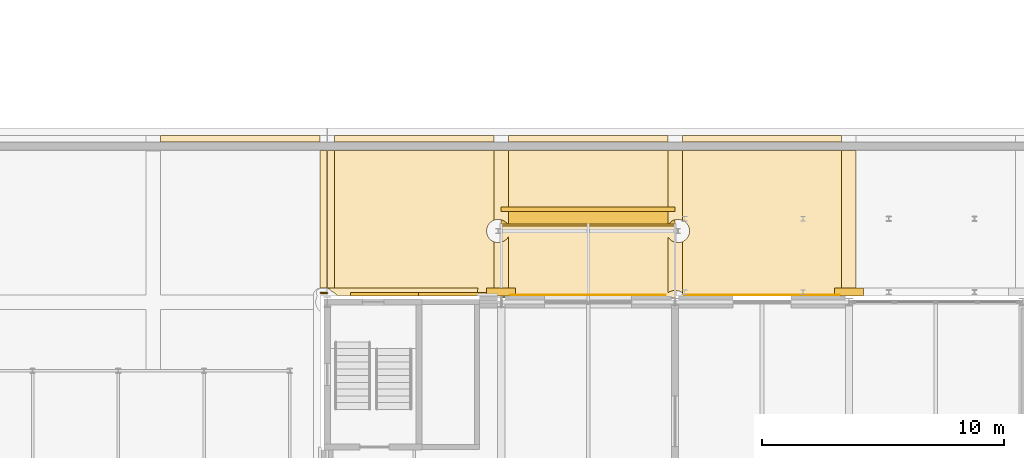
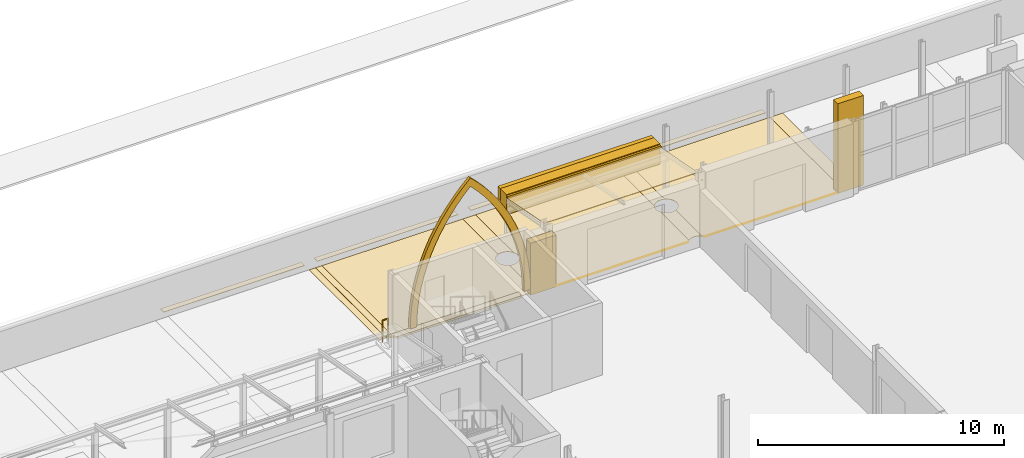
# One storey, part 134 of 143: 24 coverings, 1 railing.
"""IFC4 building model written with IfcOpenShell, lengths in metres."""

from ifc_helpers import new_model, si_unit, direction, frame, origin, origin_2d, place, context, subcontext, project, spatial, polyline, rectangle, circle, outline, extrude, material, layer, layer_set, type_object, element, save


model = new_model("IFC4")

# Units and contexts
model_context = context("Model", 3, precision=1e-05, world=origin(), true_north=direction((0.0, 1.0)))
body_context = subcontext(model_context, "Body", "Model", "MODEL_VIEW")
ifc_project = project(units=[si_unit("LENGTHUNIT", "METRE"), si_unit("AREAUNIT", "SQUARE_METRE"), si_unit("VOLUMEUNIT", "CUBIC_METRE"), si_unit("PLANEANGLEUNIT", "RADIAN"), si_unit("MASSUNIT", "GRAM", prefix="KILO")], contexts=[model_context])

# Site, building, storey
site_placement = place(None, origin())
site = spatial("IfcSite", under=ifc_project, at=site_placement, CompositionType="ELEMENT")
building_placement = place(site_placement, origin())
building = spatial("IfcBuilding", under=site, at=building_placement, Name="Kupolbacken Congress Centre", CompositionType="ELEMENT")
storey_placement = place(building_placement, frame((0.0, 0.0, 7.199951171875)))
storey = spatial("IfcBuildingStorey", under=building, at=storey_placement, Name="L02", CompositionType="ELEMENT", Elevation=7.199951171875)

# Coverings
ifc_material_1 = material(Name="Limestone cladding", Category="masonry")
ifc_layer_1 = layer(ifc_material_1, 0.5)
ifc_layer_set_1 = layer_set([ifc_layer_1], Name="Limestone cladding")
covering_type_1 = type_object("IfcCoveringType", Name="CV10 limestone cornice 500", PredefinedType="CLADDING", material=ifc_layer_set_1)
covering_1_placement = place(storey_placement, frame((147.60009765625, 154.68994140625, 1.9560546875), z_axis=(0.0, 0.0, 1.0), x_axis=(-1.0, 0.0, 0.0)))
element("IfcCovering", 1, at=covering_1_placement, inside=storey, type_object=covering_type_1, Name="F/HR/canopy/BN1/board", PredefinedType="CLADDING", context=body_context, shape_type="SweptSolid", body=[
    extrude(rectangle(XDim=7.199951171875, YDim=0.5, at=origin_2d()), origin(), (0.0, 0.0, 1.0), 1.0),
])
ifc_material_2 = material(Name="Limestone cladding", Category="masonry")
ifc_layer_2 = layer(ifc_material_2, 0.35009765625)
ifc_layer_set_2 = layer_set([ifc_layer_2], Name="Limestone cladding")
covering_type_2 = type_object("IfcCoveringType", Name="CV3 limestone pilaster strip 350", PredefinedType="CLADDING", material=ifc_layer_set_2)
covering_2_placement = place(storey_placement, frame((144.0, 151.614990234375, 0.0), z_axis=(0.0, 0.0, 1.0), x_axis=(1.0, 0.0, 0.0)))
element("IfcCovering", 2, at=covering_2_placement, inside=storey, type_object=covering_type_2, Name="F/B/N/pil/01/0", PredefinedType="CLADDING", context=body_context, shape_type="SweptSolid", body=[
    extrude(rectangle(XDim=1.199951171875, YDim=0.35009765625, at=origin_2d()), origin(), (0.0, 0.0, 1.0), 2.570068359375),
])
covering_3_placement = place(storey_placement, frame((158.39990234375, 151.614990234375, 0.0), z_axis=(0.0, 0.0, 1.0), x_axis=(1.0, 0.0, 0.0)))
element("IfcCovering", 3, at=covering_3_placement, inside=storey, type_object=covering_type_2, Name="F/B/N/pil/03/0", PredefinedType="CLADDING", context=body_context, shape_type="SweptSolid", body=[
    extrude(rectangle(XDim=1.199951171875, YDim=0.35009765625, at=origin_2d()), origin(), (0.0, 0.0, 1.0), 4.444091796875),
])
ifc_material_3 = material(Name="Limestone cladding", Category="masonry")
ifc_layer_3 = layer(ifc_material_3, 0.14990234375)
ifc_layer_set_3 = layer_set([ifc_layer_3], Name="Limestone cladding")
covering_type_3 = type_object("IfcCoveringType", Name="CV4 limestone blind arch frame 150", PredefinedType="CLADDING", material=ifc_layer_set_3)
covering_4_placement = place(storey_placement, frame((137.760009765625, 151.43994140625, 0.300048828125), z_axis=(0.0, 1.0, 0.0), x_axis=(-1.0, 0.0, 0.0)))
element("IfcCovering", 4, at=covering_4_placement, inside=storey, type_object=covering_type_3, Name="F/B/N/arch/00/7.5", PredefinedType="CLADDING", context=body_context, shape_type="SweptSolid", body=[
    extrude(outline(polyline([(0.0, 0.0), (-0.01513671875, 0.520263671875), (-0.060791015625, 1.038818359375), (-0.13671875, 1.553466796875), (-0.242431640625, 2.06298828125), (-0.377685546875, 2.565673828125), (-0.542236328125, 3.059326171875), (-0.7353515625, 3.542724609375), (-0.956298828125, 4.013916015625), (-1.20458984375, 4.47119140625), (-1.47900390625, 4.91357421875), (-1.77880859375, 5.3388671875), (-2.10302734375, 5.74609375), (-2.450439453125, 6.133544921875), (-2.820068359375, 6.5), (-3.189453125, 6.133544921875), (-3.536865234375, 5.74609375), (-3.861083984375, 5.3388671875), (-4.160888671875, 4.91357421875), (-4.435546875, 4.47119140625), (-4.68359375, 4.013916015625), (-4.904541015625, 3.542724609375), (-5.09765625, 3.059326171875), (-5.26220703125, 2.565673828125), (-5.397705078125, 2.06298828125), (-5.50341796875, 1.553466796875), (-5.5791015625, 1.038818359375), (-5.624755859375, 0.520263671875), (-5.639892578125, 0.0), (-5.340087890625, 0.0), (-5.326416015625, 0.482421875), (-5.285888671875, 0.963134765625), (-5.218505859375, 1.44091796875), (-5.124267578125, 1.914306640625), (-5.003662109375, 2.381591796875), (-4.857177734375, 2.84130859375), (-4.68505859375, 3.2919921875), (-4.48779296875, 3.732421875), (-4.266357421875, 4.1611328125), (-4.021240234375, 4.576904296875), (-3.753173828125, 4.977783203125), (-3.462890625, 5.363525390625), (-3.151611328125, 5.732177734375), (-2.820068359375, 6.082763671875), (-2.488525390625, 5.732177734375), (-2.177001953125, 5.363525390625), (-1.886962890625, 4.977783203125), (-1.618896484375, 4.576904296875), (-1.37353515625, 4.1611328125), (-1.152099609375, 3.732421875), (-0.954833984375, 3.2919921875), (-0.78271484375, 2.84130859375), (-0.63623046875, 2.381591796875), (-0.515625, 1.914306640625), (-0.421630859375, 1.44091796875), (-0.35400390625, 0.963134765625), (-0.3134765625, 0.482421875), (-0.300048828125, 0.0), (0.0, 0.0)])), origin(), (0.0, 0.0, 1.0), 0.14990234375),
])
ifc_material_4 = material(Name="Limestone cladding", Category="masonry")
ifc_layer_4 = layer(ifc_material_4, 0.199951171875)
ifc_layer_set_4 = layer_set([ifc_layer_4], Name="Limestone cladding")
covering_type_4 = type_object("IfcCoveringType", Name="CV9 limestone drum arch frame 200", PredefinedType="CLADDING", material=ifc_layer_set_4)
covering_5_placement = place(storey_placement, frame((147.60009765625, 155.0400390625, 2.35595703125), z_axis=(0.0, 0.0, 1.0), x_axis=(-1.0, 0.0, 0.0)))
element("IfcCovering", 5, at=covering_5_placement, inside=storey, type_object=covering_type_4, Name="F/HR/canopy/BN1/cornice", PredefinedType="CLADDING", context=body_context, shape_type="SweptSolid", body=[
    extrude(rectangle(XDim=7.199951171875, YDim=0.199951171875, at=origin_2d()), origin(), (0.0, 0.0, 1.0), 0.60009765625),
])
ifc_material_5 = material(Name="Glass", Category="glass")
ifc_layer_5 = layer(ifc_material_5, 0.0439453125)
ifc_layer_set_5 = layer_set([ifc_layer_5], Name="Glass")
covering_type_5 = type_object("IfcCoveringType", Name="GC1 glazed canopy roof 44", PredefinedType="ROOFING", material=ifc_layer_set_5)
covering_6_placement = place(storey_placement, frame((151.199951171875, 151.364990234375, 3.406982421875), z_axis=(0.0, 0.191768503434, 0.98144018722), x_axis=(0.0, 0.98144018722, -0.191768503434)))
element("IfcCovering", 6, at=covering_6_placement, inside=storey, type_object=covering_type_5, Name="Pitched canopy glass", PredefinedType="ROOFING", context=body_context, shape_type="SweptSolid", body=[
    extrude(outline(polyline([(0.0, 0.0), (3.133100938717923, 0.0), (3.133100938717923, 7.199951171875), (0.0, 7.199951171875), (0.0, 0.0)])), origin(), (0.0, 0.0, -1.0), 0.035888671875),
])
ifc_material_6 = material(Name="Limestone cladding", Category="masonry")
ifc_layer_6 = layer(ifc_material_6, 0.02001953125)
ifc_layer_set_6 = layer_set([ifc_layer_6], Name="Limestone cladding")
covering_type_6 = type_object("IfcCoveringType", Name="GF1 limestone paving 20", PredefinedType="FLOORING", material=ifc_layer_set_6)
covering_7_placement = place(storey_placement, origin())
element("IfcCovering", 7, at=covering_7_placement, inside=storey, type_object=covering_type_6, Name="Arrival deck limestone paving", PredefinedType="FLOORING", context=body_context, shape_type="SweptSolid", body=[
    extrude(outline(polyline([(136.5, 158.09912109375), (136.5, 157.830078125), (129.89990234375, 157.830078125), (129.89990234375, 158.09912109375), (136.5, 158.09912109375)])), origin(), (0.0, 0.0, 1.0), 0.02001953125),
])
covering_8_placement = place(storey_placement, origin())
element("IfcCovering", 8, at=covering_8_placement, inside=storey, type_object=covering_type_6, Name="North deck limestone paving", PredefinedType="FLOORING", context=body_context, shape_type="SweptSolid", body=[
    extrude(outline(polyline([(158.095458984375, 151.571044921875), (158.060546875, 151.539306640625), (158.02880859375, 151.50439453125), (158.008544921875, 151.47705078125), (158.025634765625, 151.5), (151.574462890625, 151.5), (151.591552734375, 151.47705078125), (151.571044921875, 151.50439453125), (151.539306640625, 151.539306640625), (151.50439453125, 151.571044921875), (151.466796875, 151.59912109375), (151.5, 151.574462890625), (151.5, 153.6953125), (151.54638671875, 153.716552734375), (151.586669921875, 153.740966796875), (151.62451171875, 153.768798828125), (151.659423828125, 153.800537109375), (151.691162109375, 153.83544921875), (151.718994140625, 153.873291015625), (151.743408203125, 153.913818359375), (151.763427734375, 153.956298828125), (151.779296875, 154.000732421875), (151.790771484375, 154.04638671875), (151.797607421875, 154.093017578125), (151.800048828125, 154.139892578125), (151.797607421875, 154.18701171875), (151.790771484375, 154.233642578125), (151.779296875, 154.279296875), (151.763427734375, 154.32373046875), (151.743408203125, 154.3662109375), (151.718994140625, 154.40673828125), (151.691162109375, 154.444580078125), (151.659423828125, 154.4794921875), (151.62451171875, 154.510986328125), (151.586669921875, 154.5390625), (151.54638671875, 154.5634765625), (151.5, 154.584716796875), (151.5, 157.469970703125), (158.10009765625, 157.469970703125), (158.10009765625, 151.574462890625), (158.13330078125, 151.59912109375), (158.095458984375, 151.571044921875)])), origin(), (0.0, 0.0, 1.0), 0.02001953125),
])
covering_9_placement = place(storey_placement, origin())
element("IfcCovering", 9, at=covering_9_placement, inside=storey, type_object=covering_type_6, Name="North deck limestone paving", PredefinedType="FLOORING", context=body_context, shape_type="SweptSolid", body=[
    extrude(outline(polyline([(150.89990234375, 151.574462890625), (150.860595703125, 151.539306640625), (150.828857421875, 151.50439453125), (150.80859375, 151.47705078125), (150.82568359375, 151.5), (144.37451171875, 151.5), (144.3916015625, 151.47705078125), (144.37109375, 151.50439453125), (144.33935546875, 151.539306640625), (144.304443359375, 151.571044921875), (144.2666015625, 151.59912109375), (144.300048828125, 151.574462890625), (144.300048828125, 153.908203125), (144.323486328125, 153.956298828125), (144.33935546875, 154.000732421875), (144.350830078125, 154.04638671875), (144.357666015625, 154.093017578125), (144.360107421875, 154.139892578125), (144.357666015625, 154.18701171875), (144.350830078125, 154.233642578125), (144.33935546875, 154.279296875), (144.323486328125, 154.32373046875), (144.300048828125, 154.371826171875), (144.300048828125, 157.469970703125), (150.89990234375, 157.469970703125), (150.89990234375, 154.371826171875), (150.9208984375, 154.40673828125), (150.896484375, 154.3662109375), (150.87646484375, 154.32373046875), (150.860595703125, 154.279296875), (150.84912109375, 154.233642578125), (150.84228515625, 154.18701171875), (150.840087890625, 154.139892578125), (150.84228515625, 154.093017578125), (150.84912109375, 154.04638671875), (150.860595703125, 154.000732421875), (150.87646484375, 153.956298828125), (150.896484375, 153.913818359375), (150.9208984375, 153.873291015625), (150.89990234375, 153.908203125), (150.89990234375, 151.574462890625)])), origin(), (0.0, 0.0, 1.0), 0.02001953125),
])
covering_10_placement = place(storey_placement, origin())
element("IfcCovering", 10, at=covering_10_placement, inside=storey, type_object=covering_type_6, Name="North deck limestone paving", PredefinedType="FLOORING", context=body_context, shape_type="SweptSolid", body=[
    extrude(outline(polyline([(143.695556640625, 151.571044921875), (143.685546875, 151.56201171875), (143.017822265625, 151.56201171875), (143.022216796875, 151.65087890625), (143.04052734375, 151.77490234375), (137.10009765625, 151.77490234375), (137.10009765625, 157.469970703125), (143.699951171875, 157.469970703125), (143.699951171875, 154.584716796875), (143.74072265625, 154.599365234375), (143.6962890625, 154.58349609375), (143.65380859375, 154.5634765625), (143.61328125, 154.5390625), (143.575439453125, 154.510986328125), (143.54052734375, 154.4794921875), (143.5087890625, 154.444580078125), (143.48095703125, 154.40673828125), (143.45654296875, 154.3662109375), (143.4365234375, 154.32373046875), (143.420654296875, 154.279296875), (143.4091796875, 154.233642578125), (143.40234375, 154.18701171875), (143.39990234375, 154.139892578125), (143.40234375, 154.093017578125), (143.4091796875, 154.04638671875), (143.420654296875, 154.000732421875), (143.4365234375, 153.956298828125), (143.45654296875, 153.913818359375), (143.48095703125, 153.873291015625), (143.5087890625, 153.83544921875), (143.54052734375, 153.800537109375), (143.575439453125, 153.768798828125), (143.61328125, 153.740966796875), (143.65380859375, 153.716552734375), (143.6962890625, 153.696533203125), (143.74072265625, 153.6806640625), (143.699951171875, 153.6953125), (143.699951171875, 151.574462890625), (143.7333984375, 151.59912109375), (143.695556640625, 151.571044921875)])), origin(), (0.0, 0.0, 1.0), 0.02001953125),
])
covering_11_placement = place(storey_placement, origin())
element("IfcCovering", 11, at=covering_11_placement, inside=storey, type_object=covering_type_6, Name="North deck limestone paving", PredefinedType="FLOORING", context=body_context, shape_type="SweptSolid", body=[
    extrude(outline(polyline([(151.5, 157.830078125), (151.5, 158.09912109375), (158.10009765625, 158.09912109375), (158.10009765625, 157.830078125), (151.5, 157.830078125)])), origin(), (0.0, 0.0, 1.0), 0.02001953125),
])
covering_12_placement = place(storey_placement, origin())
element("IfcCovering", 12, at=covering_12_placement, inside=storey, type_object=covering_type_6, Name="North deck limestone paving", PredefinedType="FLOORING", context=body_context, shape_type="SweptSolid", body=[
    extrude(outline(polyline([(144.300048828125, 157.830078125), (144.300048828125, 158.09912109375), (150.89990234375, 158.09912109375), (150.89990234375, 157.830078125), (144.300048828125, 157.830078125)])), origin(), (0.0, 0.0, 1.0), 0.02001953125),
])
covering_13_placement = place(storey_placement, origin())
element("IfcCovering", 13, at=covering_13_placement, inside=storey, type_object=covering_type_6, Name="North deck limestone paving", PredefinedType="FLOORING", context=body_context, shape_type="SweptSolid", body=[
    extrude(outline(polyline([(137.10009765625, 157.830078125), (137.10009765625, 158.09912109375), (143.699951171875, 158.09912109375), (143.699951171875, 157.830078125), (137.10009765625, 157.830078125)])), origin(), (0.0, 0.0, 1.0), 0.02001953125),
])
ifc_material_7 = material(Name="Brick", Category="masonry")
ifc_layer_7 = layer(ifc_material_7, 0.02001953125)
ifc_layer_set_7 = layer_set([ifc_layer_7], Name="Brick")
covering_type_7 = type_object("IfcCoveringType", Name="GF2 brick paving 20", PredefinedType="FLOORING", material=ifc_layer_set_7)
covering_14_placement = place(storey_placement, origin())
element("IfcCovering", 14, at=covering_14_placement, inside=storey, type_object=covering_type_7, Name="Arrival paving band", PredefinedType="FLOORING", context=body_context, shape_type="SweptSolid", body=[
    extrude(outline(polyline([(136.5, 157.469970703125), (136.798095703125, 157.469970703125), (136.798095703125, 151.77490234375), (136.52490234375, 151.77490234375), (136.5, 151.773681640625), (136.5, 157.469970703125)])), origin(), (0.0, 0.0, 1.0), 0.02001953125),
])
covering_15_placement = place(storey_placement, origin())
element("IfcCovering", 15, at=covering_15_placement, inside=storey, type_object=covering_type_7, Name="North paving band", PredefinedType="FLOORING", context=body_context, shape_type="SweptSolid", body=[
    extrude(outline(polyline([(143.699951171875, 153.6953125), (143.74072265625, 153.6806640625), (143.786376953125, 153.669189453125), (143.8330078125, 153.662353515625), (143.8798828125, 153.659912109375), (143.927001953125, 153.662353515625), (143.9736328125, 153.669189453125), (144.019287109375, 153.6806640625), (144.063720703125, 153.696533203125), (144.106201171875, 153.716552734375), (144.146728515625, 153.740966796875), (144.1845703125, 153.768798828125), (144.219482421875, 153.800537109375), (144.251220703125, 153.83544921875), (144.279052734375, 153.873291015625), (144.300048828125, 153.908203125), (144.300048828125, 151.574462890625), (144.2666015625, 151.59912109375), (144.226318359375, 151.623291015625), (144.18359375, 151.6435546875), (144.139404296875, 151.659423828125), (144.09375, 151.6708984375), (144.047119140625, 151.677734375), (144.0, 151.679931640625), (143.952880859375, 151.677734375), (143.90625, 151.6708984375), (143.860595703125, 151.659423828125), (143.81640625, 151.6435546875), (143.773681640625, 151.623291015625), (143.7333984375, 151.59912109375), (143.699951171875, 151.574462890625), (143.699951171875, 153.6953125)])), origin(), (0.0, 0.0, 1.0), 0.02001953125),
])
covering_16_placement = place(storey_placement, origin())
element("IfcCovering", 16, at=covering_16_placement, inside=storey, type_object=covering_type_7, Name="North paving band", PredefinedType="FLOORING", context=body_context, shape_type="SweptSolid", body=[
    extrude(outline(polyline([(143.699951171875, 157.469970703125), (144.300048828125, 157.469970703125), (144.300048828125, 154.371826171875), (144.279052734375, 154.40673828125), (144.251220703125, 154.444580078125), (144.219482421875, 154.4794921875), (144.1845703125, 154.510986328125), (144.146728515625, 154.5390625), (144.106201171875, 154.5634765625), (144.063720703125, 154.58349609375), (144.019287109375, 154.599365234375), (143.9736328125, 154.61083984375), (143.927001953125, 154.61767578125), (143.8798828125, 154.6201171875), (143.8330078125, 154.61767578125), (143.786376953125, 154.61083984375), (143.74072265625, 154.599365234375), (143.699951171875, 154.584716796875), (143.699951171875, 157.469970703125)])), origin(), (0.0, 0.0, 1.0), 0.02001953125),
])
covering_17_placement = place(storey_placement, origin())
element("IfcCovering", 17, at=covering_17_placement, inside=storey, type_object=covering_type_7, Name="North paving band", PredefinedType="FLOORING", context=body_context, shape_type="SweptSolid", body=[
    extrude(outline(polyline([(137.10009765625, 151.77490234375), (136.802001953125, 151.77490234375), (136.802001953125, 157.469970703125), (137.10009765625, 157.469970703125), (137.10009765625, 151.77490234375)])), origin(), (0.0, 0.0, 1.0), 0.02001953125),
])
covering_18_placement = place(storey_placement, origin())
element("IfcCovering", 18, at=covering_18_placement, inside=storey, type_object=covering_type_7, Name="North paving band", PredefinedType="FLOORING", context=body_context, shape_type="SweptSolid", body=[
    extrude(outline(polyline([(150.82568359375, 151.5), (150.80859375, 151.47705078125), (144.3916015625, 151.47705078125), (144.37451171875, 151.5), (150.82568359375, 151.5)])), origin(), (0.0, 0.0, 1.0), 0.02001953125),
])
covering_19_placement = place(storey_placement, origin())
element("IfcCovering", 19, at=covering_19_placement, inside=storey, type_object=covering_type_7, Name="North paving band", PredefinedType="FLOORING", context=body_context, shape_type="SweptSolid", body=[
    extrude(outline(polyline([(150.89990234375, 153.908203125), (150.9208984375, 153.873291015625), (150.948974609375, 153.83544921875), (150.980712890625, 153.800537109375), (151.015380859375, 153.768798828125), (151.05322265625, 153.740966796875), (151.09375, 153.716552734375), (151.13623046875, 153.696533203125), (151.1806640625, 153.6806640625), (151.226318359375, 153.669189453125), (151.27294921875, 153.662353515625), (151.320068359375, 153.659912109375), (151.3671875, 153.662353515625), (151.413818359375, 153.669189453125), (151.459228515625, 153.6806640625), (151.5, 153.6953125), (151.5, 151.574462890625), (151.466796875, 151.59912109375), (151.42626953125, 151.623291015625), (151.3837890625, 151.6435546875), (151.33935546875, 151.659423828125), (151.293701171875, 151.6708984375), (151.2470703125, 151.677734375), (151.199951171875, 151.679931640625), (151.15283203125, 151.677734375), (151.106201171875, 151.6708984375), (151.060791015625, 151.659423828125), (151.016357421875, 151.6435546875), (150.9736328125, 151.623291015625), (150.933349609375, 151.59912109375), (150.89990234375, 151.574462890625), (150.89990234375, 153.908203125)])), origin(), (0.0, 0.0, 1.0), 0.02001953125),
])
covering_20_placement = place(storey_placement, origin())
element("IfcCovering", 20, at=covering_20_placement, inside=storey, type_object=covering_type_7, Name="North paving band", PredefinedType="FLOORING", context=body_context, shape_type="SweptSolid", body=[
    extrude(outline(polyline([(150.89990234375, 157.469970703125), (151.5, 157.469970703125), (151.5, 154.584716796875), (151.459228515625, 154.599365234375), (151.413818359375, 154.61083984375), (151.3671875, 154.61767578125), (151.320068359375, 154.6201171875), (151.27294921875, 154.61767578125), (151.226318359375, 154.61083984375), (151.1806640625, 154.599365234375), (151.13623046875, 154.58349609375), (151.09375, 154.5634765625), (151.05322265625, 154.5390625), (151.015380859375, 154.510986328125), (150.980712890625, 154.4794921875), (150.948974609375, 154.444580078125), (150.9208984375, 154.40673828125), (150.89990234375, 154.371826171875), (150.89990234375, 157.469970703125)])), origin(), (0.0, 0.0, 1.0), 0.02001953125),
])
covering_21_placement = place(storey_placement, origin())
element("IfcCovering", 21, at=covering_21_placement, inside=storey, type_object=covering_type_7, Name="North paving band", PredefinedType="FLOORING", context=body_context, shape_type="SweptSolid", body=[
    extrude(outline(polyline([(158.025634765625, 151.5), (158.008544921875, 151.47705078125), (151.591552734375, 151.47705078125), (151.574462890625, 151.5), (158.025634765625, 151.5)])), origin(), (0.0, 0.0, 1.0), 0.02001953125),
])
covering_22_placement = place(storey_placement, origin())
element("IfcCovering", 22, at=covering_22_placement, inside=storey, type_object=covering_type_7, Name="North paving band", PredefinedType="FLOORING", context=body_context, shape_type="SweptSolid", body=[
    extrude(outline(polyline([(158.10009765625, 157.469970703125), (158.699951171875, 157.469970703125), (158.699951171875, 151.77490234375), (158.147705078125, 151.77490234375), (158.17041015625, 151.62158203125), (158.13330078125, 151.59912109375), (158.10009765625, 151.574462890625), (158.10009765625, 157.469970703125)])), origin(), (0.0, 0.0, 1.0), 0.02001953125),
])
ifc_material_8 = material(Name="Granite setts", Category="masonry")
ifc_layer_8 = layer(ifc_material_8, 0.10009765625)
ifc_layer_set_8 = layer_set([ifc_layer_8], Name="Granite setts")
covering_type_8 = type_object("IfcCoveringType", Name="GR3 granite sett paving 100", PredefinedType="FLOORING", material=ifc_layer_set_8)
covering_23_placement = place(storey_placement, origin())
element("IfcCovering", 23, at=covering_23_placement, inside=storey, type_object=covering_type_8, Name="Granite kerb edging", PredefinedType="FLOORING", context=body_context, shape_type="SweptSolid", body=[
    extrude(outline(polyline([(137.171142578125, 151.50439453125), (137.139404296875, 151.539306640625), (137.1044921875, 151.571044921875), (137.066650390625, 151.59912109375), (137.0263671875, 151.623291015625), (136.983642578125, 151.6435546875), (136.962890625, 151.65087890625), (136.94970703125, 151.675048828125), (136.939208984375, 151.689208984375), (136.92724609375, 151.702392578125), (136.89990234375, 151.724609375), (136.885009765625, 151.73388671875), (136.852294921875, 151.747314453125), (136.835205078125, 151.751708984375), (136.802001953125, 151.7548828125), (136.802001953125, 151.77490234375), (143.04052734375, 151.77490234375), (143.022216796875, 151.65087890625), (143.017822265625, 151.56201171875), (142.998046875, 151.56201171875), (142.998046875, 151.47705078125), (137.19140625, 151.47705078125), (137.171142578125, 151.50439453125)])), origin(), (0.0, 0.0, 1.0), 0.10009765625),
])

# Railing
ifc_material_9 = material(Name="Steel S235", Category="steel")
railing_type = type_object("IfcRailingType", Name="RL1 guard 1100 steel balustrade", PredefinedType="GUARDRAIL", material=ifc_material_9)
railing_placement = place(storey_placement, frame((136.800048828125, 151.574951171875, 0.0)))
element("IfcRailing", 24, at=railing_placement, inside=storey, type_object=railing_type, Name="E/deckguard/007", PredefinedType="GUARDRAIL", context=body_context, shape_type="SweptSolid", body=[
    extrude(circle(Radius=0.02392578125, at=origin_2d()), frame((0.0, 0.0, 1.076171875), z_axis=(-1.0, 0.0, 0.0), x_axis=(0.0, -1.0, 0.0)), (0.0, 0.0, 1.0), 0.275146484375),
    extrude(circle(Radius=0.02099609375, at=origin_2d()), origin(), (0.0, 0.0, 1.0), 1.052001953125),
    extrude(circle(Radius=0.02099609375, at=origin_2d()), frame((-0.275146484375, 0.0, 0.0)), (0.0, 0.0, 1.0), 1.052001953125),
])

# Covering
ifc_material_10 = material(Name="Steel S355", Category="steel")
ifc_layer_9 = layer(ifc_material_10, 0.06005859375)
ifc_layer_set_9 = layer_set([ifc_layer_9], Name="Steel S355")
covering_type_9 = type_object("IfcCoveringType", Name="SG1 snow guard bar 60 x 100", PredefinedType="CLADDING", material=ifc_layer_set_9)
covering_24_placement = place(storey_placement, frame((147.60009765625, 154.389892578125, 2.815673828125), z_axis=(0.0, 0.0, 1.0), x_axis=(-1.0, 0.0, 0.0)))
element("IfcCovering", 25, at=covering_24_placement, inside=storey, type_object=covering_type_9, Name="Snow guard", PredefinedType="CLADDING", context=body_context, shape_type="SweptSolid", body=[
    extrude(rectangle(XDim=7.199951171875, YDim=0.10009765625, at=origin_2d()), origin(), (0.0, 0.0, 1.0), 0.10009765625),
])

save(model, "model.ifc")
